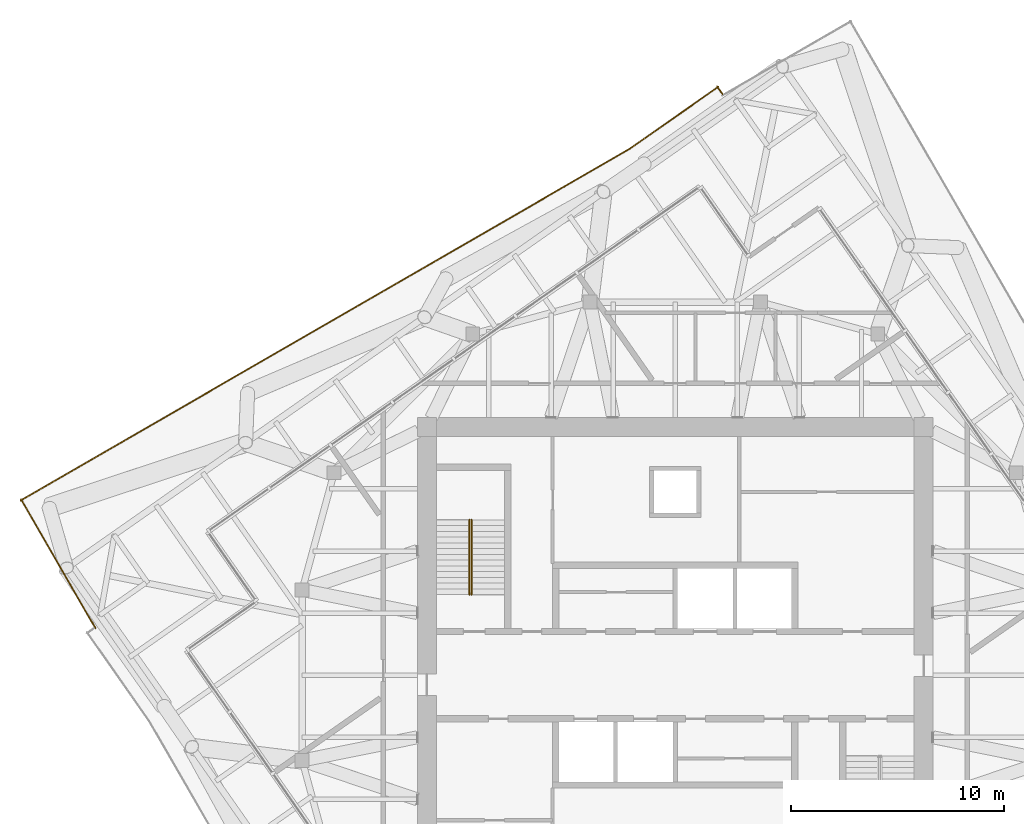
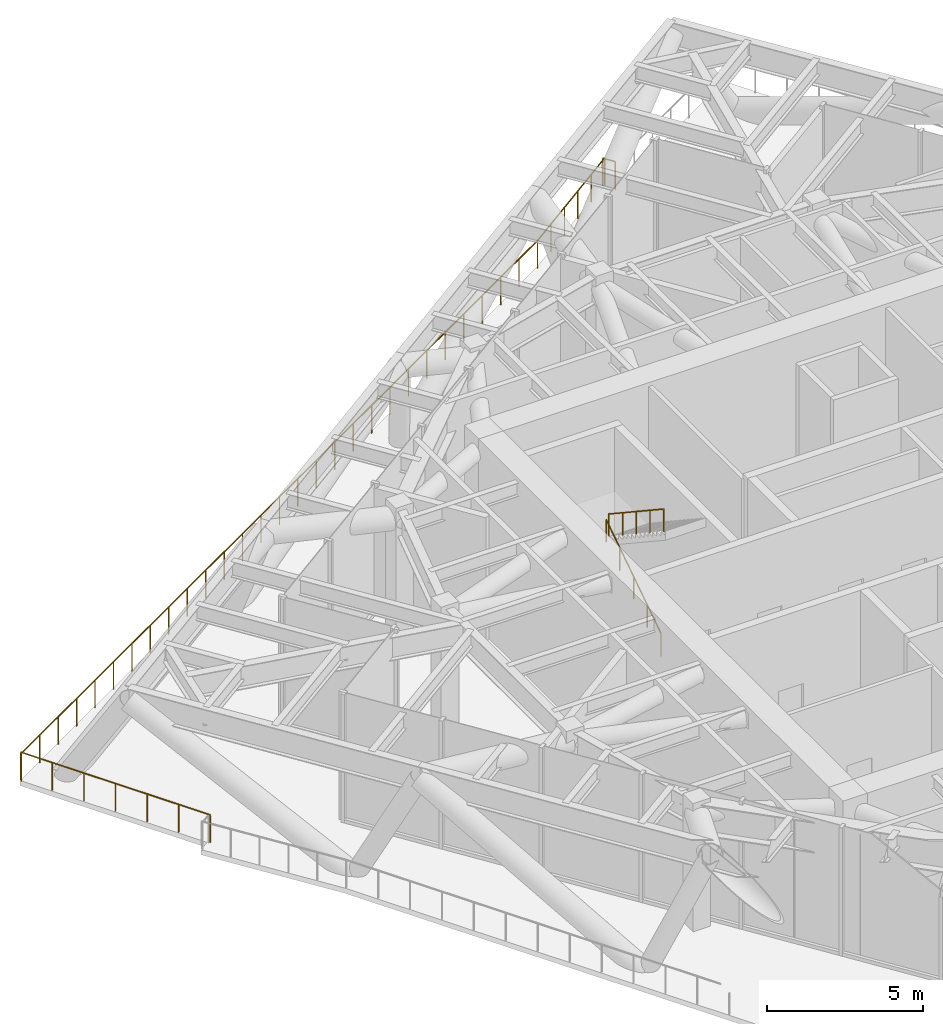
# One storey, part 15 of 16: 6 railings, 1 element without a shape of its own.
"""IFC4 building model written with IfcOpenShell, lengths in metres."""

from ifc_helpers import new_model, si_unit, direction, frame, origin, origin_2d, place, context, subcontext, project, spatial, circle, extrude, material, type_object, element, aggregate, save


model = new_model("IFC4")

# Units and contexts
model_context = context("Model", 3, precision=1e-05, world=origin(), true_north=direction((0.0, 1.0)))
body_context = subcontext(model_context, "Body", "Model", "MODEL_VIEW")
ifc_project = project(units=[si_unit("LENGTHUNIT", "METRE"), si_unit("AREAUNIT", "SQUARE_METRE"), si_unit("VOLUMEUNIT", "CUBIC_METRE"), si_unit("PLANEANGLEUNIT", "RADIAN"), si_unit("MASSUNIT", "GRAM", prefix="KILO")], contexts=[model_context])

# Site, building, storey
site_placement = place(None, origin())
site = spatial("IfcSite", under=ifc_project, at=site_placement, CompositionType="ELEMENT")
building_placement = place(site_placement, origin())
building = spatial("IfcBuilding", under=site, at=building_placement, Name="Torsade Residences", CompositionType="ELEMENT")
storey_placement = place(building_placement, frame((0.0, 0.0, 235.39990234375)))
storey = spatial("IfcBuildingStorey", under=building, at=storey_placement, Name="L65", CompositionType="ELEMENT", Elevation=235.39990234375)

# Railings
ifc_material_1 = material(Name="Galvanised steel guard rail", Category="steel")
railing_type_1 = type_object("IfcRailingType", Name="ROOF EDGE GUARD 1100", PredefinedType="GUARDRAIL", material=ifc_material_1)
railing_1_placement = place(storey_placement, frame((42.217529296875, 57.256103515625, 0.0)))
element("IfcRailing", 1, at=railing_1_placement, inside=storey, type_object=railing_type_1, Name="Roof edge guard L65 10", PredefinedType="GUARDRAIL", context=body_context, shape_type="SweptSolid", body=[
    extrude(circle(Radius=0.02392578125, at=origin_2d()), frame((0.0, 0.0, 1.076171875), z_axis=(-0.573425516096, 0.819257699073, 0.0), x_axis=(-0.819257699073, -0.573425516096, 0.0)), (0.0, 0.0, 1.0), 0.44482421875),
    extrude(circle(Radius=0.02099609375, at=origin_2d()), origin(), (0.0, 0.0, 1.0), 1.052001953125),
    extrude(circle(Radius=0.02099609375, at=origin_2d()), frame((-0.255126953125, 0.364501953125, 0.0)), (0.0, 0.0, 1.0), 1.052001953125),
])
railing_2_placement = place(storey_placement, frame((42.031982421875, 57.6083984375, 0.0)))
element("IfcRailing", 2, at=railing_2_placement, inside=storey, type_object=railing_type_1, Name="Roof edge guard L65 11", PredefinedType="GUARDRAIL", context=body_context, shape_type="SweptSolid", body=[
    extrude(circle(Radius=0.02392578125, at=origin_2d()), frame((0.0, 0.0, 1.076171875), z_axis=(-0.819153075812, -0.573574963181, 0.0), x_axis=(0.573574963181, -0.819153075812, 0.0)), (0.0, 0.0, 1.0), 5.092041015625),
    extrude(circle(Radius=0.02099609375, at=origin_2d()), origin(), (0.0, 0.0, 1.0), 1.052001953125),
    extrude(circle(Radius=0.02099609375, at=origin_2d()), frame((-0.834228515625, -0.584228515625, 0.0)), (0.0, 0.0, 1.0), 1.052001953125),
    extrude(circle(Radius=0.02099609375, at=origin_2d()), frame((-1.66845703125, -1.168212890625, 0.0)), (0.0, 0.0, 1.0), 1.052001953125),
    extrude(circle(Radius=0.02099609375, at=origin_2d()), frame((-2.502685546875, -1.75244140625, 0.0)), (0.0, 0.0, 1.0), 1.052001953125),
    extrude(circle(Radius=0.02099609375, at=origin_2d()), frame((-3.3369140625, -2.33642578125, 0.0)), (0.0, 0.0, 1.0), 1.052001953125),
    extrude(circle(Radius=0.02099609375, at=origin_2d()), frame((-4.171142578125, -2.920654296875, 0.0)), (0.0, 0.0, 1.0), 1.052001953125),
])
railing_3_placement = place(storey_placement, frame((37.86083984375, 54.68798828125, 0.0)))
element("IfcRailing", 3, at=railing_3_placement, inside=storey, type_object=railing_type_1, Name="Roof edge guard L65 12", PredefinedType="GUARDRAIL", context=body_context, shape_type="SweptSolid", body=[
    extrude(circle(Radius=0.02392578125, at=origin_2d()), frame((0.0, 0.0, 1.076171875), z_axis=(-0.866027725812, -0.49999597811, 0.0), x_axis=(0.49999597811, -0.866027725812, 0.0)), (0.0, 0.0, 1.0), 32.991455078125),
    extrude(circle(Radius=0.02099609375, at=origin_2d()), origin(), (0.0, 0.0, 1.0), 1.052001953125),
    extrude(circle(Radius=0.02099609375, at=origin_2d()), frame((-1.0205078125, -0.589111328125, 0.0)), (0.0, 0.0, 1.0), 1.052001953125),
    extrude(circle(Radius=0.02099609375, at=origin_2d()), frame((-2.040771484375, -1.17822265625, 0.0)), (0.0, 0.0, 1.0), 1.052001953125),
    extrude(circle(Radius=0.02099609375, at=origin_2d()), frame((-3.061279296875, -1.767333984375, 0.0)), (0.0, 0.0, 1.0), 1.052001953125),
    extrude(circle(Radius=0.02099609375, at=origin_2d()), frame((-4.08154296875, -2.3564453125, 0.0)), (0.0, 0.0, 1.0), 1.052001953125),
    extrude(circle(Radius=0.02099609375, at=origin_2d()), frame((-5.10205078125, -2.945556640625, 0.0)), (0.0, 0.0, 1.0), 1.052001953125),
    extrude(circle(Radius=0.02099609375, at=origin_2d()), frame((-6.12255859375, -3.53466796875, 0.0)), (0.0, 0.0, 1.0), 1.052001953125),
    extrude(circle(Radius=0.02099609375, at=origin_2d()), frame((-7.142822265625, -4.1240234375, 0.0)), (0.0, 0.0, 1.0), 1.052001953125),
    extrude(circle(Radius=0.02099609375, at=origin_2d()), frame((-8.163330078125, -4.713134765625, 0.0)), (0.0, 0.0, 1.0), 1.052001953125),
    extrude(circle(Radius=0.02099609375, at=origin_2d()), frame((-9.18359375, -5.30224609375, 0.0)), (0.0, 0.0, 1.0), 1.052001953125),
    extrude(circle(Radius=0.02099609375, at=origin_2d()), frame((-10.2041015625, -5.891357421875, 0.0)), (0.0, 0.0, 1.0), 1.052001953125),
    extrude(circle(Radius=0.02099609375, at=origin_2d()), frame((-11.224609375, -6.48046875, 0.0)), (0.0, 0.0, 1.0), 1.052001953125),
    extrude(circle(Radius=0.02099609375, at=origin_2d()), frame((-12.244873046875, -7.069580078125, 0.0)), (0.0, 0.0, 1.0), 1.052001953125),
    extrude(circle(Radius=0.02099609375, at=origin_2d()), frame((-13.265380859375, -7.65869140625, 0.0)), (0.0, 0.0, 1.0), 1.052001953125),
    extrude(circle(Radius=0.02099609375, at=origin_2d()), frame((-14.28564453125, -8.247802734375, 0.0)), (0.0, 0.0, 1.0), 1.052001953125),
    extrude(circle(Radius=0.02099609375, at=origin_2d()), frame((-15.30615234375, -8.8369140625, 0.0)), (0.0, 0.0, 1.0), 1.052001953125),
    extrude(circle(Radius=0.02099609375, at=origin_2d()), frame((-16.32666015625, -9.426025390625, 0.0)), (0.0, 0.0, 1.0), 1.052001953125),
    extrude(circle(Radius=0.02099609375, at=origin_2d()), frame((-17.346923828125, -10.01513671875, 0.0)), (0.0, 0.0, 1.0), 1.052001953125),
    extrude(circle(Radius=0.02099609375, at=origin_2d()), frame((-18.367431640625, -10.604248046875, 0.0)), (0.0, 0.0, 1.0), 1.052001953125),
    extrude(circle(Radius=0.02099609375, at=origin_2d()), frame((-19.387939453125, -11.193359375, 0.0)), (0.0, 0.0, 1.0), 1.052001953125),
    extrude(circle(Radius=0.02099609375, at=origin_2d()), frame((-20.408203125, -11.782470703125, 0.0)), (0.0, 0.0, 1.0), 1.052001953125),
    extrude(circle(Radius=0.02099609375, at=origin_2d()), frame((-21.4287109375, -12.37158203125, 0.0)), (0.0, 0.0, 1.0), 1.052001953125),
    extrude(circle(Radius=0.02099609375, at=origin_2d()), frame((-22.448974609375, -12.9609375, 0.0)), (0.0, 0.0, 1.0), 1.052001953125),
    extrude(circle(Radius=0.02099609375, at=origin_2d()), frame((-23.469482421875, -13.550048828125, 0.0)), (0.0, 0.0, 1.0), 1.052001953125),
    extrude(circle(Radius=0.02099609375, at=origin_2d()), frame((-24.489990234375, -14.13916015625, 0.0)), (0.0, 0.0, 1.0), 1.052001953125),
    extrude(circle(Radius=0.02099609375, at=origin_2d()), frame((-25.51025390625, -14.728271484375, 0.0)), (0.0, 0.0, 1.0), 1.052001953125),
    extrude(circle(Radius=0.02099609375, at=origin_2d()), frame((-26.53076171875, -15.3173828125, 0.0)), (0.0, 0.0, 1.0), 1.052001953125),
    extrude(circle(Radius=0.02099609375, at=origin_2d()), frame((-27.551025390625, -15.906494140625, 0.0)), (0.0, 0.0, 1.0), 1.052001953125),
    extrude(circle(Radius=0.02099609375, at=origin_2d()), frame((-28.571533203125, -16.49560546875, 0.0)), (0.0, 0.0, 1.0), 1.052001953125),
])
railing_4_placement = place(storey_placement, frame((9.3076171875, 38.260498046875, 0.0)))
element("IfcRailing", 4, at=railing_4_placement, inside=storey, type_object=railing_type_1, Name="Roof edge guard L65 13", PredefinedType="GUARDRAIL", context=body_context, shape_type="SweptSolid", body=[
    extrude(circle(Radius=0.02392578125, at=origin_2d()), frame((0.0, 0.0, 1.076171875), z_axis=(0.50001759125, -0.866015247234, 0.0), x_axis=(0.866015247234, 0.50001759125, 0.0)), (0.0, 0.0, 1.0), 6.993408203125),
    extrude(circle(Radius=0.02099609375, at=origin_2d()), origin(), (0.0, 0.0, 1.0), 1.052001953125),
    extrude(circle(Radius=0.02099609375, at=origin_2d()), frame((0.582763671875, -1.00927734375, 0.0)), (0.0, 0.0, 1.0), 1.052001953125),
    extrude(circle(Radius=0.02099609375, at=origin_2d()), frame((1.16552734375, -2.018798828125, 0.0)), (0.0, 0.0, 1.0), 1.052001953125),
    extrude(circle(Radius=0.02099609375, at=origin_2d()), frame((1.74853515625, -3.0283203125, 0.0)), (0.0, 0.0, 1.0), 1.052001953125),
    extrude(circle(Radius=0.02099609375, at=origin_2d()), frame((2.331298828125, -4.03759765625, 0.0)), (0.0, 0.0, 1.0), 1.052001953125),
    extrude(circle(Radius=0.02099609375, at=origin_2d()), frame((2.9140625, -5.046875, 0.0)), (0.0, 0.0, 1.0), 1.052001953125),
    extrude(circle(Radius=0.02099609375, at=origin_2d()), frame((3.496826171875, -6.056396484375, 0.0)), (0.0, 0.0, 1.0), 1.052001953125),
])

# Stair, railings
ifc_material_2 = material(Name="Precast concrete 40 MPa", Category="concrete")
stair_type = type_object("IfcStairType", Name="HALF-TURN FIRE STAIR 1500x5000", PredefinedType="HALF_TURN_STAIR", material=ifc_material_2)
stair_placement = place(storey_placement, origin())
stair = element("IfcStair", 5, at=stair_placement, inside=storey, type_object=stair_type, Name="Stair ST1 L65", PredefinedType="HALF_TURN_STAIR")
ifc_material_3 = material(Name="Steel handrail", Category="steel")
railing_type_2 = type_object("IfcRailingType", Name="STAIR HANDRAIL 900", PredefinedType="HANDRAIL", material=ifc_material_3)
railing_5_placement = place(storey_placement, frame((30.35009765625, 33.780029296875, 0.1787109375)))
railing_5 = element("IfcRailing", 6, at=railing_5_placement, type_object=railing_type_2, Name="Handrail ST1 flight 1 L65", PredefinedType="HANDRAIL", context=body_context, shape_type="SweptSolid", body=[
    extrude(circle(Radius=0.02392578125, at=origin_2d()), frame((0.0, 0.0, 0.8759765625), z_axis=(0.0, 0.834097473627, 0.551617081397), x_axis=(-1.0, 0.0, 0.0)), (0.0, 0.0, 1.0), 4.208251953125),
    extrude(circle(Radius=0.02099609375, at=origin_2d()), origin(), (0.0, 0.0, 1.0), 0.851806640625),
    extrude(circle(Radius=0.02099609375, at=origin_2d()), frame((0.0, 0.87744140625, 0.580322265625)), (0.0, 0.0, 1.0), 0.851806640625),
    extrude(circle(Radius=0.02099609375, at=origin_2d()), frame((0.0, 1.7548828125, 1.16064453125)), (0.0, 0.0, 1.0), 0.851806640625),
    extrude(circle(Radius=0.02099609375, at=origin_2d()), frame((0.0, 2.632568359375, 1.740966796875)), (0.0, 0.0, 1.0), 0.851806640625),
    extrude(circle(Radius=0.02099609375, at=origin_2d()), frame((0.0, 3.510009765625, 2.3212890625)), (0.0, 0.0, 1.0), 0.851806640625),
])
railing_6_placement = place(storey_placement, frame((30.449951171875, 37.2900390625, 2.6787109375)))
railing_6 = element("IfcRailing", 7, at=railing_6_placement, type_object=railing_type_2, Name="Handrail ST1 flight 2 L65", PredefinedType="HANDRAIL", context=body_context, shape_type="SweptSolid", body=[
    extrude(circle(Radius=0.02392578125, at=origin_2d()), frame((0.0, 0.0, 0.8759765625), z_axis=(0.0, -0.834097473627, 0.551617081397), x_axis=(1.0, 0.0, 0.0)), (0.0, 0.0, 1.0), 4.208251953125),
    extrude(circle(Radius=0.02099609375, at=origin_2d()), origin(), (0.0, 0.0, 1.0), 0.851806640625),
    extrude(circle(Radius=0.02099609375, at=origin_2d()), frame((0.0, -0.87744140625, 0.580322265625)), (0.0, 0.0, 1.0), 0.851806640625),
    extrude(circle(Radius=0.02099609375, at=origin_2d()), frame((0.0, -1.7548828125, 1.16064453125)), (0.0, 0.0, 1.0), 0.851806640625),
    extrude(circle(Radius=0.02099609375, at=origin_2d()), frame((0.0, -2.632568359375, 1.740966796875)), (0.0, 0.0, 1.0), 0.851806640625),
    extrude(circle(Radius=0.02099609375, at=origin_2d()), frame((0.0, -3.510009765625, 2.3212890625)), (0.0, 0.0, 1.0), 0.851806640625),
])
aggregate(stair, [railing_5, railing_6])

save(model, "model.ifc")
